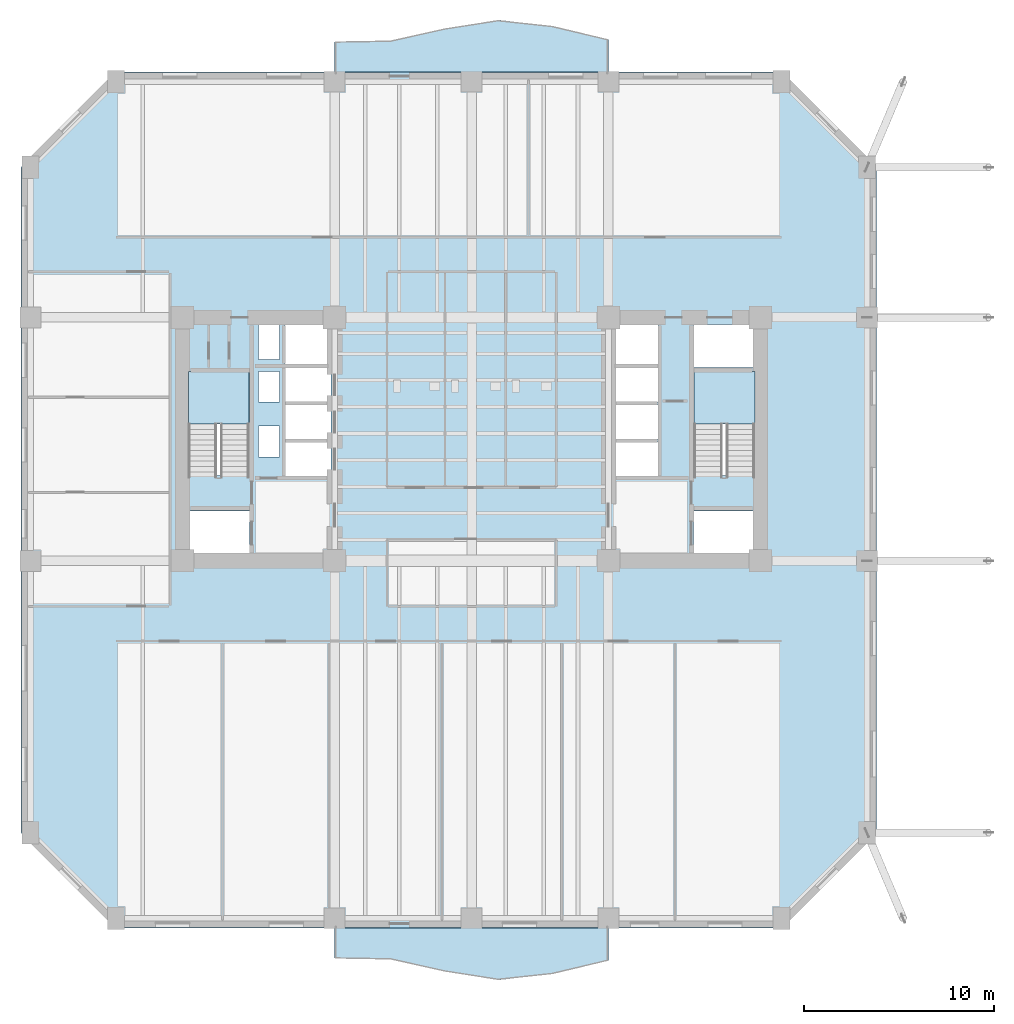
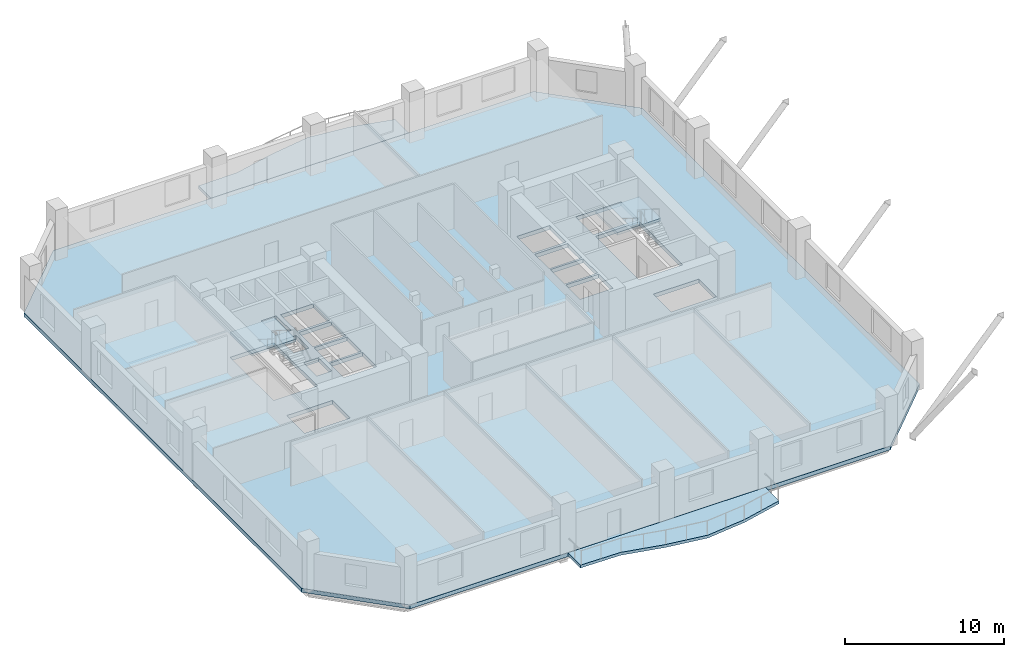
# One storey, part 2 of 13: 5 slabs, 2 elements without a shape of their own.
"""IFC4 building model written with IfcOpenShell, lengths in metres."""

from ifc_helpers import new_model, si_unit, direction, frame, origin, place, context, subcontext, project, spatial, polyline, outline, extrude, material, layer, layer_set, type_object, element, aggregate, save


model = new_model("IFC4")

# Units and contexts
model_context = context("Model", 3, precision=1e-05, world=origin(), true_north=direction((0.0, 1.0)))
body_context = subcontext(model_context, "Body", "Model", "MODEL_VIEW")
ifc_project = project(units=[si_unit("LENGTHUNIT", "METRE"), si_unit("AREAUNIT", "SQUARE_METRE"), si_unit("VOLUMEUNIT", "CUBIC_METRE"), si_unit("PLANEANGLEUNIT", "RADIAN"), si_unit("MASSUNIT", "GRAM", prefix="KILO")], contexts=[model_context])

# Site, building, storey
site_placement = place(None, origin())
site = spatial("IfcSite", under=ifc_project, at=site_placement, CompositionType="ELEMENT")
building_placement = place(site_placement, origin())
building = spatial("IfcBuilding", under=site, at=building_placement, Name="Kranthara Brick Stack", CompositionType="ELEMENT")
storey_placement = place(building_placement, frame((0.0, 0.0, 43.800048828125)))
storey = spatial("IfcBuildingStorey", under=building, at=storey_placement, Name="L10", CompositionType="ELEMENT", Elevation=43.800048828125)

# Slabs
ifc_material_1 = material(Name="Concrete C45/55", Category="concrete")
ifc_layer_1 = layer(ifc_material_1, 0.219970703125)
ifc_layer_set_1 = layer_set([ifc_layer_1], Name="Concrete C45/55")
slab_type_1 = type_object("IfcSlabType", Name="SLB-BALC-220", PredefinedType="FLOOR", material=ifc_layer_set_1)
slab_1_placement = place(storey_placement, frame((0.0, 0.0, -0.219970703125)))
element("IfcSlab", 1, at=slab_1_placement, inside=storey, type_object=slab_type_1, Name="L10 South Rippling Balcony Slab", PredefinedType="FLOOR", context=body_context, shape_type="SweptSolid", body=[
    extrude(outline(polyline([(20.800048828125, 1.5), (35.199951171875, 1.5), (35.199951171875, -0.214599609375), (32.320068359375, -0.91015625), (29.43994140625, -1.247314453125), (26.56005859375, -0.8017578125), (23.679931640625, -0.1337890625), (20.800048828125, -0.083740234375), (20.800048828125, 1.5)])), origin(), (0.0, 0.0, 1.0), 0.219970703125),
])
slab_2_placement = place(storey_placement, frame((0.0, 0.0, -0.219970703125)))
element("IfcSlab", 2, at=slab_2_placement, inside=storey, type_object=slab_type_1, Name="L10 North Rippling Balcony Slab", PredefinedType="FLOOR", context=body_context, shape_type="SweptSolid", body=[
    extrude(outline(polyline([(35.199951171875, 46.5), (20.800048828125, 46.5), (20.800048828125, 48.083740234375), (23.679931640625, 48.1337890625), (26.56005859375, 48.8017578125), (29.43994140625, 49.247314453125), (32.320068359375, 48.91015625), (35.199951171875, 48.214599609375), (35.199951171875, 46.5)])), origin(), (0.0, 0.0, 1.0), 0.219970703125),
])

# Stair, slab
ifc_material_2 = material(Name="Concrete C45/55", Category="concrete")
stair_type = type_object("IfcStairType", Name="ST-CORE-22R", PredefinedType="HALF_TURN_STAIR", material=ifc_material_2)
stair_1_placement = place(storey_placement, origin())
stair_1 = element("IfcStair", 3, at=stair_1_placement, inside=storey, type_object=stair_type, Name="L10 West Core Protected Exit Stair ST01", PredefinedType="HALF_TURN_STAIR")
ifc_material_3 = material(Name="Concrete C45/55", Category="concrete")
ifc_layer_2 = layer(ifc_material_3, 0.199951171875)
ifc_layer_set_2 = layer_set([ifc_layer_2], Name="Concrete C45/55")
slab_type_2 = type_object("IfcSlabType", Name="SLB-LANDING-200", PredefinedType="LANDING", material=ifc_layer_set_2)
slab_3_placement = place(storey_placement, frame((0.0, 0.0, 1.75)))
slab_3 = element("IfcSlab", 4, at=slab_3_placement, type_object=slab_type_2, Name="ST01 landing 1", PredefinedType="LANDING", context=body_context, shape_type="SweptSolid", body=[
    extrude(outline(polyline([(16.300048828125, 28.0), (16.300048828125, 30.75), (13.10009765625, 30.75), (13.10009765625, 28.0), (16.300048828125, 28.0)])), origin(), (0.0, 0.0, 1.0), 0.199951171875),
])
aggregate(stair_1, [slab_3])

stair_2_placement = place(storey_placement, origin())
stair_2 = element("IfcStair", 5, at=stair_2_placement, inside=storey, type_object=stair_type, Name="L10 East Core Protected Exit Stair ST02", PredefinedType="HALF_TURN_STAIR")
slab_4_placement = place(storey_placement, frame((0.0, 0.0, 1.75)))
slab_4 = element("IfcSlab", 6, at=slab_4_placement, type_object=slab_type_2, Name="ST02 landing 1", PredefinedType="LANDING", context=body_context, shape_type="SweptSolid", body=[
    extrude(outline(polyline([(42.89990234375, 28.0), (42.89990234375, 30.75), (39.699951171875, 30.75), (39.699951171875, 28.0), (42.89990234375, 28.0)])), origin(), (0.0, 0.0, 1.0), 0.199951171875),
])
aggregate(stair_2, [slab_4])

# Slab
ifc_material_4 = material(Name="Post-tensioned concrete C45/55", Category="concrete")
ifc_layer_3 = layer(ifc_material_4, 0.300048828125)
ifc_layer_set_3 = layer_set([ifc_layer_3], Name="Post-tensioned concrete C45/55")
slab_type_3 = type_object("IfcSlabType", Name="SLB-TWR-300", PredefinedType="FLOOR", material=ifc_layer_set_3)
slab_5_placement = place(storey_placement, frame((0.0, 0.0, -0.300048828125)))
element("IfcSlab", 7, at=slab_5_placement, inside=storey, type_object=slab_type_3, Name="L10 Structural Floor Plate", PredefinedType="FLOOR", context=body_context, shape_type="SweptSolid", body=[
    extrude(outline(polyline([(9.300048828125, 1.5), (44.300048828125, 1.5), (49.300048828125, 6.5), (49.300048828125, 41.5), (44.300048828125, 46.5), (9.300048828125, 46.5), (4.300048828125, 41.5), (4.300048828125, 6.5), (9.300048828125, 1.5)]), holes=[polyline([(13.10009765625, 25.280029296875), (16.300048828125, 25.280029296875), (16.300048828125, 30.75), (13.10009765625, 30.75), (13.10009765625, 25.280029296875)]), polyline([(39.699951171875, 25.280029296875), (42.89990234375, 25.280029296875), (42.89990234375, 30.75), (39.699951171875, 30.75), (39.699951171875, 25.280029296875)]), polyline([(13.0, 21.179931640625), (16.320068359375, 21.179931640625), (16.320068359375, 23.419921875), (13.0, 23.419921875), (13.0, 21.179931640625)]), polyline([(39.679931640625, 21.179931640625), (43.0, 21.179931640625), (43.0, 23.419921875), (39.679931640625, 23.419921875), (39.679931640625, 21.179931640625)]), polyline([(39.679931640625, 30.97998046875), (43.0, 30.97998046875), (43.0, 33.219970703125), (39.679931640625, 33.219970703125), (39.679931640625, 30.97998046875)]), polyline([(18.199951171875, 25.25), (20.60009765625, 25.25), (20.60009765625, 27.050048828125), (18.199951171875, 27.050048828125), (18.199951171875, 25.25)]), polyline([(18.199951171875, 27.199951171875), (20.60009765625, 27.199951171875), (20.60009765625, 29.0), (18.199951171875, 29.0), (18.199951171875, 27.199951171875)]), polyline([(18.199951171875, 29.14990234375), (20.60009765625, 29.14990234375), (20.60009765625, 30.949951171875), (18.199951171875, 30.949951171875), (18.199951171875, 29.14990234375)]), polyline([(35.39990234375, 25.25), (37.800048828125, 25.25), (37.800048828125, 27.050048828125), (35.39990234375, 27.050048828125), (35.39990234375, 25.25)]), polyline([(35.39990234375, 27.199951171875), (37.800048828125, 27.199951171875), (37.800048828125, 29.0), (35.39990234375, 29.0), (35.39990234375, 27.199951171875)]), polyline([(35.39990234375, 29.14990234375), (37.800048828125, 29.14990234375), (37.800048828125, 30.949951171875), (35.39990234375, 30.949951171875), (35.39990234375, 29.14990234375)]), polyline([(18.199951171875, 31.14990234375), (20.60009765625, 31.14990234375), (20.60009765625, 33.219970703125), (18.199951171875, 33.219970703125), (18.199951171875, 31.14990234375)]), polyline([(35.39990234375, 31.14990234375), (37.800048828125, 31.14990234375), (37.800048828125, 33.219970703125), (35.39990234375, 33.219970703125), (35.39990234375, 31.14990234375)]), polyline([(16.800048828125, 26.25), (17.89990234375, 26.25), (17.89990234375, 27.89990234375), (16.800048828125, 27.89990234375), (16.800048828125, 26.25)]), polyline([(16.800048828125, 29.14990234375), (17.89990234375, 29.14990234375), (17.89990234375, 30.75), (16.800048828125, 30.75), (16.800048828125, 29.14990234375)]), polyline([(16.800048828125, 31.39990234375), (17.89990234375, 31.39990234375), (17.89990234375, 33.25), (16.800048828125, 33.25), (16.800048828125, 31.39990234375)])]), origin(), (0.0, 0.0, 1.0), 0.300048828125),
])

save(model, "model.ifc")
